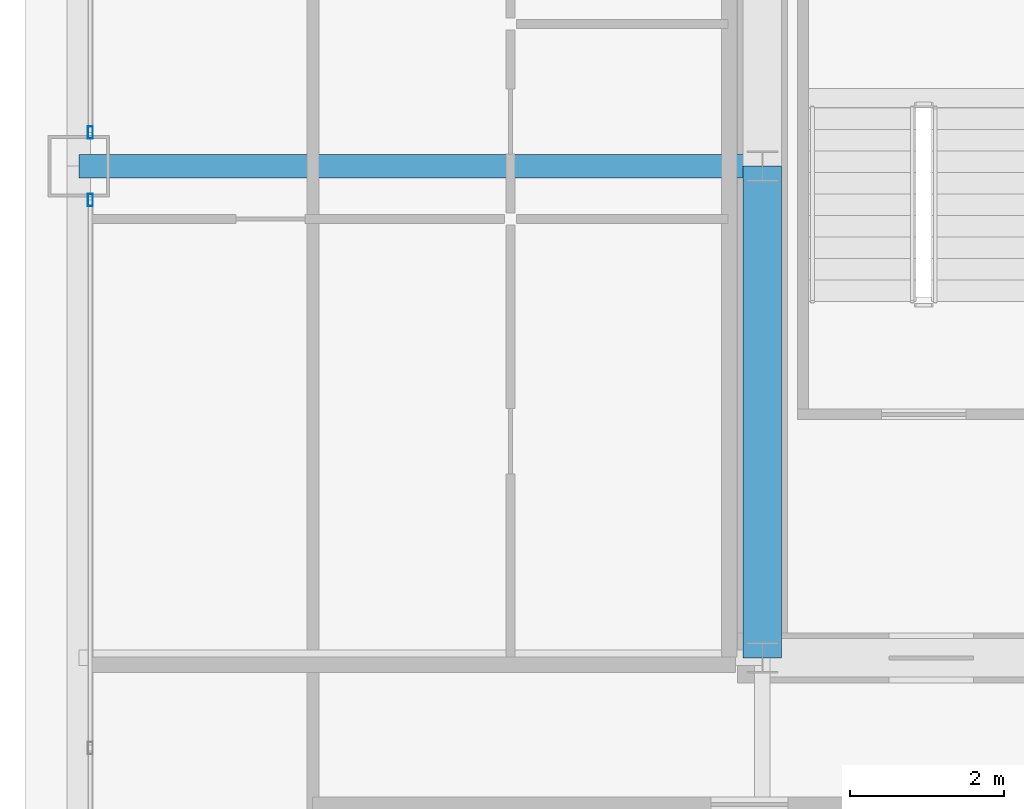
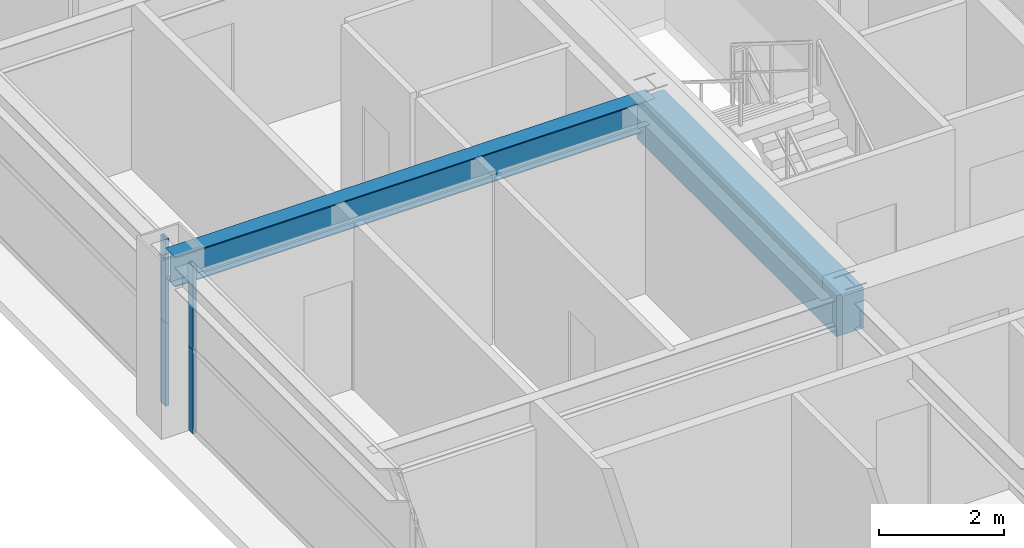
# One storey, part 12 of 38: 4 members, 2 beams, 2 elements without a shape of their own.
"""IFC4 building model written with IfcOpenShell, lengths in metres."""

from ifc_helpers import new_model, si_unit, direction, frame, origin, origin_2d, place, context, subcontext, project, spatial, rectangle, hollow_rectangle, i_section, extrude, source, transform, mapped, material, layer, layer_set, material_profile, profile_set, type_object, element, aggregate, save


model = new_model("IFC4")

# Units and contexts
model_context = context("Model", 3, precision=1e-05, world=origin(), true_north=direction((0.0, 1.0)))
body_context = subcontext(model_context, "Body", "Model", "MODEL_VIEW")
ifc_project = project(units=[si_unit("LENGTHUNIT", "METRE"), si_unit("AREAUNIT", "SQUARE_METRE"), si_unit("VOLUMEUNIT", "CUBIC_METRE"), si_unit("PLANEANGLEUNIT", "RADIAN"), si_unit("MASSUNIT", "GRAM", prefix="KILO"), si_unit("THERMODYNAMICTEMPERATUREUNIT", "KELVIN"), si_unit("POWERUNIT", "WATT")], contexts=[model_context])

# Site, building, storey
site_placement = place(None, origin())
site = spatial("IfcSite", under=ifc_project, at=site_placement, CompositionType="ELEMENT")
building_placement = place(site_placement, origin())
building = spatial("IfcBuilding", under=site, at=building_placement, Name="Yuzanri Waterfront Tower", CompositionType="ELEMENT")
storey_placement = place(building_placement, frame((0.0, 0.0, 209.0)))
storey = spatial("IfcBuildingStorey", under=building, at=storey_placement, Name="L55", CompositionType="ELEMENT", Elevation=209.0)

# Beams
ifc_material_1 = material(Name="Steel Q355B", Category="steel")
ifc_material_profile_1 = material_profile(ifc_material_1, i_section(OverallWidth=0.300048828125, OverallDepth=0.587890625, WebThickness=0.011962890625, FlangeThickness=0.02001953125, at=origin_2d()), Name="HM 588x300x12x20")
ifc_profile_set_1 = profile_set([ifc_material_profile_1], Name="Steel Q355B")
beam_type_1 = type_object("IfcBeamType", Name="Primary Floor Girder Q355B HM 588x300", PredefinedType="BEAM", material=ifc_profile_set_1)
shared_shape_1 = source(origin(), body_context, "Body", "SweptSolid", [
    extrude(i_section(OverallWidth=0.300048828125, OverallDepth=0.587890625, WebThickness=0.011962890625, FlangeThickness=0.02001953125, at=origin_2d()), origin(), (0.0, 0.0, 1.0), 8.900146484375),
])
beam_1_placement = place(storey_placement, frame((23.800048828125, 25.800048828125, 2.986083984375), z_axis=(-1.0, 0.0, 0.0), x_axis=(0.0, -1.0, 0.0)))
element("IfcBeam", 1, at=beam_1_placement, inside=storey, type_object=beam_type_1, Name="L55 West Grid Girder", PredefinedType="BEAM", context=body_context, shape_type="MappedRepresentation", body=[
    mapped(shared_shape_1, transform((0.0, 0.0, 0.0), scale=1.0)),
])
ifc_material_2 = material(Name="Concrete C50", Category="concrete")
ifc_material_profile_2 = material_profile(ifc_material_2, rectangle(XDim=0.5, YDim=0.800048828125, at=origin_2d()), Name="RC 500x800")
ifc_profile_set_2 = profile_set([ifc_material_profile_2], Name="Concrete C50")
beam_type_2 = type_object("IfcBeamType", Name="Core Coupling Lintel Concrete C50 500x800", PredefinedType="LINTEL", material=ifc_profile_set_2)
shared_shape_2 = source(origin(), body_context, "Body", "SweptSolid", [
    extrude(rectangle(XDim=0.5, YDim=0.800048828125, at=origin_2d()), origin(), (0.0, 0.0, 1.0), 6.400146484375),
])
beam_2_placement = place(storey_placement, frame((23.800048828125, 19.39990234375, 2.8798828125), z_axis=(0.0, 1.0, 0.0), x_axis=(-1.0, 0.0, 0.0)))
element("IfcBeam", 2, at=beam_2_placement, inside=storey, type_object=beam_type_2, Name="L55 Core Tie Beam CW1", PredefinedType="LINTEL", context=body_context, shape_type="MappedRepresentation", body=[
    mapped(shared_shape_2, transform((0.0, 0.0, 0.0), scale=1.0)),
])

# Curtain wall, members
ifc_material_3 = material(Name="Anodized Architectural Bronze", Category="metal")
ifc_layer = layer(ifc_material_3, 0.159912109375)
ifc_layer_set = layer_set([ifc_layer], Name="Anodized Architectural Bronze")
curtain_wall_type = type_object("IfcCurtainWallType", Name="Anodized Bronze Mid-Rise Residential Acoustic Unitized Curtain Wall 7200", PredefinedType="NOTDEFINED", material=ifc_layer_set)
curtain_wall_1_placement = place(storey_placement, origin())
curtain_wall_1 = element("IfcCurtainWall", 3, at=curtain_wall_1_placement, inside=storey, type_object=curtain_wall_type, Name="L55 Curtain Wall CW-L55-WL", PredefinedType="NOTDEFINED")
ifc_material_4 = material(Name="Anodized Architectural Bronze", Category="metal")
ifc_material_profile_3 = material_profile(ifc_material_4, hollow_rectangle(XDim=0.06494140625, YDim=0.159912109375, WallThickness=0.00341796875, at=origin_2d()), Name="CWM 65x160")
ifc_profile_set_3 = profile_set([ifc_material_profile_3], Name="Anodized Architectural Bronze")
member_type = type_object("IfcMemberType", Name="Anodized Bronze Upper-Zone Curtain-Wall Mullion 65x160", PredefinedType="MULLION", material=ifc_profile_set_3)
shared_shape_3 = source(origin(), body_context, "Body", "SweptSolid", [
    extrude(hollow_rectangle(XDim=0.06494140625, YDim=0.159912109375, WallThickness=0.00341796875, at=origin_2d()), origin(), (0.0, 0.0, 1.0), 1.637939453125),
])
member_1_placement = place(storey_placement, frame((15.050048828125, 25.360107421875, 0.0), z_axis=(0.0, 0.0, 1.0), x_axis=(1.0, 0.0, 0.0)))
member_1 = element("IfcMember", 4, at=member_1_placement, type_object=member_type, Name="CW-L55-WL Lower Mullion 02", PredefinedType="MULLION", context=body_context, shape_type="MappedRepresentation", body=[
    mapped(shared_shape_3, transform((0.0, 0.0, 0.0), scale=1.0)),
])
member_2_placement = place(storey_placement, frame((15.050048828125, 25.360107421875, 1.64208984375), z_axis=(0.0, 0.0, 1.0), x_axis=(1.0, 0.0, 0.0)))
member_2 = element("IfcMember", 5, at=member_2_placement, type_object=member_type, Name="CW-L55-WL Upper Mullion 02", PredefinedType="MULLION", context=body_context, shape_type="MappedRepresentation", body=[
    mapped(shared_shape_3, transform((0.0, 0.0, 0.0), scale=1.0)),
])
aggregate(curtain_wall_1, [member_1, member_2])

curtain_wall_2_placement = place(storey_placement, origin())
curtain_wall_2 = element("IfcCurtainWall", 6, at=curtain_wall_2_placement, inside=storey, type_object=curtain_wall_type, Name="L55 Curtain Wall CW-L55-WR", PredefinedType="NOTDEFINED")
member_3_placement = place(storey_placement, frame((15.050048828125, 26.239990234375, 0.0), z_axis=(0.0, 0.0, 1.0), x_axis=(1.0, 0.0, 0.0)))
member_3 = element("IfcMember", 7, at=member_3_placement, type_object=member_type, Name="CW-L55-WR Lower Mullion 00", PredefinedType="MULLION", context=body_context, shape_type="MappedRepresentation", body=[
    mapped(shared_shape_3, transform((0.0, 0.0, 0.0), scale=1.0)),
])
member_4_placement = place(storey_placement, frame((15.050048828125, 26.239990234375, 1.64208984375), z_axis=(0.0, 0.0, 1.0), x_axis=(1.0, 0.0, 0.0)))
member_4 = element("IfcMember", 8, at=member_4_placement, type_object=member_type, Name="CW-L55-WR Upper Mullion 00", PredefinedType="MULLION", context=body_context, shape_type="MappedRepresentation", body=[
    mapped(shared_shape_3, transform((0.0, 0.0, 0.0), scale=1.0)),
])
aggregate(curtain_wall_2, [member_3, member_4])

save(model, "model.ifc")
